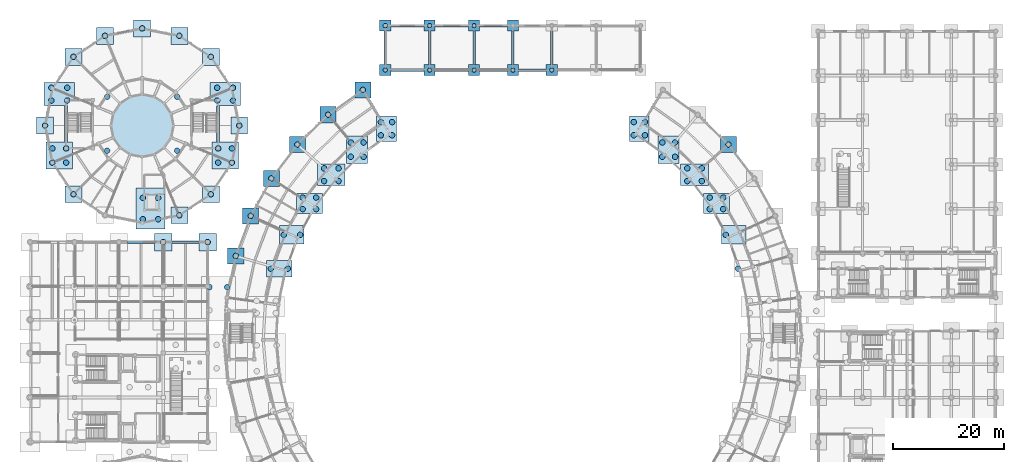
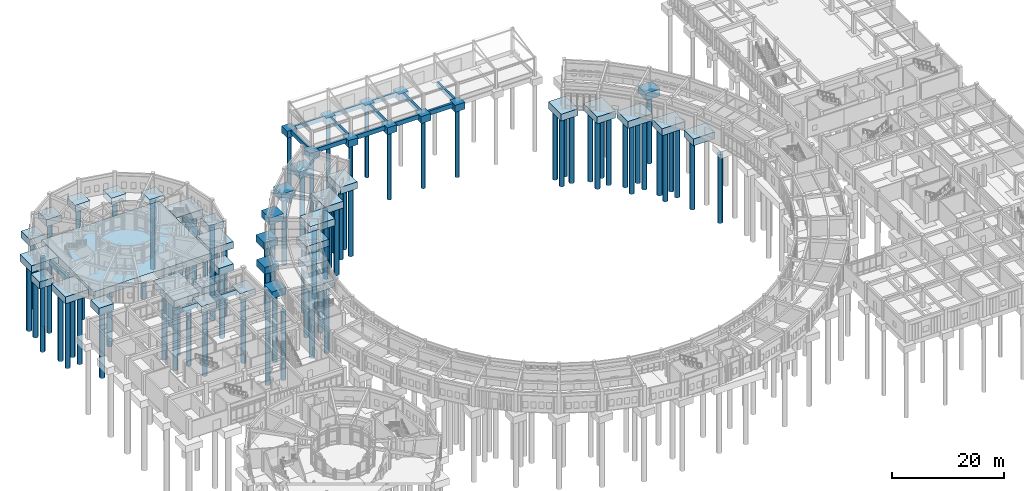
# One storey, part 3 of 153: 91 piles, 61 footings.
"""IFC4 building model written with IfcOpenShell, lengths in metres."""

from ifc_helpers import new_model, si_unit, direction, frame, origin, origin_2d, place, context, subcontext, project, spatial, polyline, rectangle, circle, outline, extrude, material, material_profile, profile_set, type_object, element, save


model = new_model("IFC4")

# Units and contexts
model_context = context("Model", 3, precision=1e-05, world=origin(), true_north=direction((0.0, 1.0)))
body_context = subcontext(model_context, "Body", "Model", "MODEL_VIEW")
ifc_project = project(units=[si_unit("LENGTHUNIT", "METRE"), si_unit("AREAUNIT", "SQUARE_METRE"), si_unit("VOLUMEUNIT", "CUBIC_METRE"), si_unit("PLANEANGLEUNIT", "RADIAN"), si_unit("MASSUNIT", "GRAM", prefix="KILO")], contexts=[model_context])

# Site, building, storey
site_placement = place(None, origin())
site = spatial("IfcSite", under=ifc_project, at=site_placement, CompositionType="ELEMENT")
building_placement = place(site_placement, origin())
building = spatial("IfcBuilding", under=site, at=building_placement, Name="Celadon Cloister-Ring School", CompositionType="ELEMENT")
storey_placement = place(building_placement, origin())
storey = spatial("IfcBuildingStorey", under=building, at=storey_placement, Name="L00", CompositionType="ELEMENT", Elevation=0.0)

# Footings
ifc_material_1 = material(Name="Concrete C40/50", Category="concrete")
footing_type_1 = type_object("IfcFootingType", Name="FC-05", PredefinedType="PILE_CAP", material=ifc_material_1)
for number, where, z_axis, x_axis, name in (
    (1, (59.968994140625, 103.422119140625, -1.5), (0.0, 0.0, 1.0), (1.0, 0.0, 0.0), "Pile Cap 071"),
    (2, (53.702880859375, 98.94091796875, -1.5), (0.0, 0.0, 1.0), (1.0, 0.0, 0.0), "Pile Cap 072"),
    (3, (48.16796875, 93.583984375, -1.5), (0.0, 0.0, 1.0), (1.0, 0.0, 0.0), "Pile Cap 073"),
    (4, (43.48388671875, 87.467041015625, -1.5), (0.0, 0.0, 1.0), (1.0, 0.0, 0.0), "Pile Cap 074"),
    (5, (39.756103515625, 80.72607421875, -1.5), (0.0, 0.0, 1.0), (1.0, 0.0, 0.0), "Pile Cap 075"),
    (6, (37.06494140625, 73.508056640625, -1.5), (0.0, 0.0, 1.0), (1.0, 0.0, 0.0), "Pile Cap 076"),
    (7, (125.83203125, 93.583984375, -1.5), (0.0, 0.0, 1.0), (1.0, 0.0, 0.0), "Pile Cap 097"),
):
    element("IfcFooting", number, at=place(storey_placement, frame(where, z_axis=z_axis, x_axis=x_axis)), inside=storey, type_object=footing_type_1, Name=name, PredefinedType="PILE_CAP", context=body_context, shape_type="SweptSolid", body=[
        extrude(rectangle(XDim=2.89990234375, YDim=2.89990234375, at=origin_2d()), origin(), (0.0, 0.0, 1.0), 1.5),
    ])
ifc_material_2 = material(Name="Concrete C40/50", Category="concrete")
footing_type_2 = type_object("IfcFootingType", Name="FC-13", PredefinedType="PILE_CAP", material=ifc_material_2)
for number, where, z_axis, x_axis, name in (
    (8, (5.26611328125, 91.60205078125, -1.5), (0.0, 0.0, 1.0), (1.0, 0.0, 0.0), "Pile Cap 019"),
    (9, (35.134033203125, 91.60205078125, -1.5), (0.0, 0.0, 1.0), (1.0, 0.0, 0.0), "Pile Cap 022"),
):
    element("IfcFooting", number, at=place(storey_placement, frame(where, z_axis=z_axis, x_axis=x_axis)), inside=storey, type_object=footing_type_2, Name=name, PredefinedType="PILE_CAP", context=body_context, shape_type="SweptSolid", body=[
        extrude(rectangle(XDim=4.76806640625, YDim=4.89697265625, at=origin_2d()), origin(), (0.0, 0.0, 1.0), 1.5),
    ])
ifc_material_3 = material(Name="Concrete C40/50", Category="concrete")
footing_type_3 = type_object("IfcFootingType", Name="FC-14", PredefinedType="PILE_CAP", material=ifc_material_3)
footing_1_placement = place(storey_placement, frame((20.199951171875, 97.322998046875, -1.5), z_axis=(0.0, 0.0, 1.0), x_axis=(1.0, 0.0, 0.0)))
element("IfcFooting", 10, at=footing_1_placement, inside=storey, type_object=footing_type_3, Name="Pile Cap 020", PredefinedType="PILE_CAP", context=body_context, shape_type="SweptSolid", body=[
    extrude(rectangle(XDim=24.2490234375, YDim=18.653076171875, at=origin_2d()), origin(), (0.0, 0.0, 1.0), 1.5),
])
ifc_material_4 = material(Name="Concrete C40/50", Category="concrete")
footing_type_4 = type_object("IfcFootingType", Name="FC-15", PredefinedType="PILE_CAP", material=ifc_material_4)
for number, where, z_axis, x_axis, name in (
    (11, (5.26611328125, 102.658935546875, -1.5), (0.0, 0.0, 1.0), (1.0, 0.0, 0.0), "Pile Cap 021"),
    (12, (35.134033203125, 102.658935546875, -1.5), (0.0, 0.0, 1.0), (1.0, 0.0, 0.0), "Pile Cap 023"),
):
    element("IfcFooting", number, at=place(storey_placement, frame(where, z_axis=z_axis, x_axis=x_axis)), inside=storey, type_object=footing_type_4, Name=name, PredefinedType="PILE_CAP", context=body_context, shape_type="SweptSolid", body=[
        extrude(rectangle(XDim=5.489990234375, YDim=4.177001953125, at=origin_2d()), origin(), (0.0, 0.0, 1.0), 1.5),
    ])
ifc_material_5 = material(Name="Concrete C40/50", Category="concrete")
footing_type_5 = type_object("IfcFootingType", Name="FC-26", PredefinedType="PILE_CAP", material=ifc_material_5)
footing_2_placement = place(storey_placement, frame((21.699951171875, 82.050048828125, -1.5), z_axis=(0.0, 0.0, 1.0), x_axis=(1.0, 0.0, 0.0)))
element("IfcFooting", 13, at=footing_2_placement, inside=storey, type_object=footing_type_5, Name="Pile Cap 041", PredefinedType="PILE_CAP", context=body_context, shape_type="SweptSolid", body=[
    extrude(rectangle(XDim=5.300048828125, YDim=7.39990234375, at=origin_2d()), origin(), (0.0, 0.0, 1.0), 1.5),
])
ifc_material_6 = material(Name="Concrete C40/50", Category="concrete")
footing_type_6 = type_object("IfcFootingType", Name="FC-28", PredefinedType="PILE_CAP", material=ifc_material_6)
for number, where, z_axis, x_axis, name in (
    (14, (64.218994140625, 96.43896484375, -1.5), (0.0, 0.0, 1.0), (1.0, 0.0, 0.0), "Pile Cap 043"),
    (15, (109.781005859375, 96.43896484375, -1.5), (0.0, 0.0, 1.0), (1.0, 0.0, 0.0), "Pile Cap 070"),
):
    element("IfcFooting", number, at=place(storey_placement, frame(where, z_axis=z_axis, x_axis=x_axis)), inside=storey, type_object=footing_type_6, Name=name, PredefinedType="PILE_CAP", context=body_context, shape_type="SweptSolid", body=[
        extrude(rectangle(XDim=3.52197265625, YDim=4.5791015625, at=origin_2d()), origin(), (0.0, 0.0, 1.0), 1.5),
    ])
ifc_material_7 = material(Name="Concrete C40/50", Category="concrete")
footing_type_7 = type_object("IfcFootingType", Name="FC-29", PredefinedType="PILE_CAP", material=ifc_material_7)
for number, where, z_axis, x_axis, name in (
    (16, (58.93798828125, 92.662109375, -1.5), (0.0, 0.0, 1.0), (1.0, 0.0, 0.0), "Pile Cap 044"),
    (17, (115.06201171875, 92.662109375, -1.5), (0.0, 0.0, 1.0), (1.0, 0.0, 0.0), "Pile Cap 069"),
):
    element("IfcFooting", number, at=place(storey_placement, frame(where, z_axis=z_axis, x_axis=x_axis)), inside=storey, type_object=footing_type_7, Name=name, PredefinedType="PILE_CAP", context=body_context, shape_type="SweptSolid", body=[
        extrude(rectangle(XDim=3.804931640625, YDim=4.947021484375, at=origin_2d()), origin(), (0.0, 0.0, 1.0), 1.5),
    ])
ifc_material_8 = material(Name="Concrete C40/50", Category="concrete")
footing_type_8 = type_object("IfcFootingType", Name="FC-30", PredefinedType="PILE_CAP", material=ifc_material_8)
for number, where, z_axis, x_axis, name in (
    (18, (54.27294921875, 88.14697265625, -1.5), (0.0, 0.0, 1.0), (1.0, 0.0, 0.0), "Pile Cap 045"),
    (19, (119.72705078125, 88.14697265625, -1.5), (0.0, 0.0, 1.0), (1.0, 0.0, 0.0), "Pile Cap 068"),
):
    element("IfcFooting", number, at=place(storey_placement, frame(where, z_axis=z_axis, x_axis=x_axis)), inside=storey, type_object=footing_type_8, Name=name, PredefinedType="PILE_CAP", context=body_context, shape_type="SweptSolid", body=[
        extrude(rectangle(XDim=5.02197265625, YDim=3.863037109375, at=origin_2d()), origin(), (0.0, 0.0, 1.0), 1.5),
    ])
ifc_material_9 = material(Name="Concrete C40/50", Category="concrete")
footing_type_9 = type_object("IfcFootingType", Name="FC-31", PredefinedType="PILE_CAP", material=ifc_material_9)
for number, where, z_axis, x_axis, name in (
    (20, (50.324951171875, 82.991943359375, -1.5), (0.0, 0.0, 1.0), (1.0, 0.0, 0.0), "Pile Cap 046"),
    (21, (123.674072265625, 82.991943359375, -1.5), (0.0, 0.0, 1.0), (1.0, 0.0, 0.0), "Pile Cap 067"),
):
    element("IfcFooting", number, at=place(storey_placement, frame(where, z_axis=z_axis, x_axis=x_axis)), inside=storey, type_object=footing_type_9, Name=name, PredefinedType="PILE_CAP", context=body_context, shape_type="SweptSolid", body=[
        extrude(rectangle(XDim=4.662109375, YDim=3.5859375, at=origin_2d()), origin(), (0.0, 0.0, 1.0), 1.5),
    ])
ifc_material_10 = material(Name="Concrete C40/50", Category="concrete")
footing_type_10 = type_object("IfcFootingType", Name="FC-32", PredefinedType="PILE_CAP", material=ifc_material_10)
for number, where, z_axis, x_axis, name in (
    (22, (47.18310546875, 77.31005859375, -1.5), (0.0, 0.0, 1.0), (1.0, 0.0, 0.0), "Pile Cap 047"),
    (23, (126.81591796875, 77.31005859375, -1.5), (0.0, 0.0, 1.0), (1.0, 0.0, 0.0), "Pile Cap 066"),
):
    element("IfcFooting", number, at=place(storey_placement, frame(where, z_axis=z_axis, x_axis=x_axis)), inside=storey, type_object=footing_type_10, Name=name, PredefinedType="PILE_CAP", context=body_context, shape_type="SweptSolid", body=[
        extrude(rectangle(XDim=4.43505859375, YDim=3.281982421875, at=origin_2d()), origin(), (0.0, 0.0, 1.0), 1.5),
    ])
ifc_material_11 = material(Name="Concrete C40/50", Category="concrete")
footing_type_11 = type_object("IfcFootingType", Name="FC-33", PredefinedType="PILE_CAP", material=ifc_material_11)
footing_3_placement = place(storey_placement, frame((44.9150390625, 71.22705078125, -1.5), z_axis=(0.0, 0.0, 1.0), x_axis=(1.0, 0.0, 0.0)))
element("IfcFooting", 24, at=footing_3_placement, inside=storey, type_object=footing_type_11, Name="Pile Cap 048", PredefinedType="PILE_CAP", context=body_context, shape_type="SweptSolid", body=[
    extrude(rectangle(XDim=4.555908203125, YDim=2.9560546875, at=origin_2d()), origin(), (0.0, 0.0, 1.0), 1.5),
])
ifc_material_12 = material(Name="Concrete C40/50", Category="concrete")
footing_type_12 = type_object("IfcFootingType", Name="FC-43", PredefinedType="PILE_CAP", material=ifc_material_12)
for number, where, z_axis, x_axis, name in (
    (25, (37.699951171875, 97.0, -1.5), (0.0, 0.0, 1.0), (1.0, 0.0, 0.0), "Pile Cap 125"),
    (26, (32.573974609375, 109.3740234375, -1.5), (0.0, 0.0, 1.0), (1.0, 0.0, 0.0), "Pile Cap 126"),
    (27, (26.89697265625, 113.16796875, -1.5), (0.0, 0.0, 1.0), (1.0, 0.0, 0.0), "Pile Cap 127"),
    (28, (20.199951171875, 114.5, -1.5), (0.0, 0.0, 1.0), (1.0, 0.0, 0.0), "Pile Cap 128"),
    (29, (13.5029296875, 113.16796875, -1.5), (0.0, 0.0, 1.0), (1.0, 0.0, 0.0), "Pile Cap 129"),
    (30, (7.825927734375, 109.3740234375, -1.5), (0.0, 0.0, 1.0), (1.0, 0.0, 0.0), "Pile Cap 130"),
    (31, (2.699951171875, 97.0, -1.5), (0.0, 0.0, 1.0), (1.0, 0.0, 0.0), "Pile Cap 131"),
    (32, (7.825927734375, 84.6259765625, -1.5), (0.0, 0.0, 1.0), (1.0, 0.0, 0.0), "Pile Cap 132"),
    (33, (26.89697265625, 80.83203125, -1.5), (0.0, 0.0, 1.0), (1.0, 0.0, 0.0), "Pile Cap 134"),
    (34, (32.573974609375, 84.6259765625, -1.5), (0.0, 0.0, 1.0), (1.0, 0.0, 0.0), "Pile Cap 135"),
):
    element("IfcFooting", number, at=place(storey_placement, frame(where, z_axis=z_axis, x_axis=x_axis)), inside=storey, type_object=footing_type_12, Name=name, PredefinedType="PILE_CAP", context=body_context, shape_type="SweptSolid", body=[
        extrude(rectangle(XDim=3.0400390625, YDim=3.0400390625, at=origin_2d()), origin(), (0.0, 0.0, 1.0), 1.5),
    ])
ifc_material_13 = material(Name="Concrete C40/50", Category="concrete")
footing_type_13 = type_object("IfcFootingType", Name="FC-47", PredefinedType="PILE_CAP", material=ifc_material_13)
for number, where, z_axis, x_axis, name in (
    (35, (24.0, 76.0, -1.5), (0.0, 0.0, 1.0), (1.0, 0.0, 0.0), "Pile Cap 191"),
    (36, (32.0, 76.0, -1.5), (0.0, 0.0, 1.0), (1.0, 0.0, 0.0), "Pile Cap 195"),
):
    element("IfcFooting", number, at=place(storey_placement, frame(where, z_axis=z_axis, x_axis=x_axis)), inside=storey, type_object=footing_type_13, Name=name, PredefinedType="PILE_CAP", context=body_context, shape_type="SweptSolid", body=[
        extrude(rectangle(XDim=3.1201171875, YDim=3.1201171875, at=origin_2d()), origin(), (0.0, 0.0, 1.0), 1.5),
    ])
ifc_material_14 = material(Name="Concrete C40/50", Category="concrete")
footing_type_14 = type_object("IfcFootingType", Name="FC-51", PredefinedType="PILE_CAP", material=ifc_material_14)
for number, where, z_axis, x_axis, name in (
    (37, (64.0, 107.0, -1.5), (0.0, 0.0, 1.0), (1.0, 0.0, 0.0), "Pile Cap 214"),
    (38, (64.0, 115.0, -1.5), (0.0, 0.0, 1.0), (1.0, 0.0, 0.0), "Pile Cap 215"),
    (39, (72.0, 107.0, -1.5), (0.0, 0.0, 1.0), (1.0, 0.0, 0.0), "Pile Cap 216"),
    (40, (72.0, 115.0, -1.5), (0.0, 0.0, 1.0), (1.0, 0.0, 0.0), "Pile Cap 217"),
    (41, (80.0, 107.0, -1.5), (0.0, 0.0, 1.0), (1.0, 0.0, 0.0), "Pile Cap 218"),
    (42, (80.0, 115.0, -1.5), (0.0, 0.0, 1.0), (1.0, 0.0, 0.0), "Pile Cap 219"),
    (43, (87.0, 107.0, -1.5), (0.0, 0.0, 1.0), (1.0, 0.0, 0.0), "Pile Cap 220"),
    (44, (87.0, 115.0, -1.5), (0.0, 0.0, 1.0), (1.0, 0.0, 0.0), "Pile Cap 221"),
    (45, (94.0, 107.0, -1.5), (0.0, 0.0, 1.0), (1.0, 0.0, 0.0), "Pile Cap 222"),
):
    element("IfcFooting", number, at=place(storey_placement, frame(where, z_axis=z_axis, x_axis=x_axis)), inside=storey, type_object=footing_type_14, Name=name, PredefinedType="PILE_CAP", context=body_context, shape_type="SweptSolid", body=[
        extrude(rectangle(XDim=2.0, YDim=2.0, at=origin_2d()), origin(), (0.0, 0.0, 1.0), 1.5),
    ])

# Piles
ifc_material_15 = material(Name="Concrete C35/45", Category="concrete")
ifc_material_profile_1 = material_profile(ifc_material_15, circle(Radius=0.39990234375, at=origin_2d()), Name="PILE800")
ifc_profile_set_1 = profile_set([ifc_material_profile_1], Name="Concrete C35/45")
pile_type_1 = type_object("IfcPileType", Name="PL-01", PredefinedType="BORED", material=ifc_profile_set_1)
for number, where, z_axis, x_axis, name in (
    (46, (64.0, 107.0, -1.39990234375), (0.0, 0.0, -1.0), (1.0, 0.0, 0.0), "Bored Pile 0350"),
    (47, (64.0, 115.0, -1.39990234375), (0.0, 0.0, -1.0), (1.0, 0.0, 0.0), "Bored Pile 0351"),
    (48, (72.0, 107.0, -1.39990234375), (0.0, 0.0, -1.0), (1.0, 0.0, 0.0), "Bored Pile 0352"),
    (49, (72.0, 115.0, -1.39990234375), (0.0, 0.0, -1.0), (1.0, 0.0, 0.0), "Bored Pile 0353"),
    (50, (80.0, 107.0, -1.39990234375), (0.0, 0.0, -1.0), (1.0, 0.0, 0.0), "Bored Pile 0354"),
    (51, (80.0, 115.0, -1.39990234375), (0.0, 0.0, -1.0), (1.0, 0.0, 0.0), "Bored Pile 0355"),
    (52, (87.0, 107.0, -1.39990234375), (0.0, 0.0, -1.0), (1.0, 0.0, 0.0), "Bored Pile 0356"),
    (53, (94.0, 107.0, -1.39990234375), (0.0, 0.0, -1.0), (1.0, 0.0, 0.0), "Bored Pile 0358"),
):
    element("IfcPile", number, at=place(storey_placement, frame(where, z_axis=z_axis, x_axis=x_axis)), inside=storey, type_object=pile_type_1, Name=name, PredefinedType="BORED", context=body_context, shape_type="SweptSolid", body=[
        extrude(circle(Radius=0.39990234375, at=origin_2d()), origin(), (0.0, 0.0, 1.0), 15.0),
    ])
ifc_material_16 = material(Name="Concrete C35/45", Category="concrete")
ifc_material_profile_2 = material_profile(ifc_material_16, circle(Radius=0.5, at=origin_2d()), Name="PILE1000")
ifc_profile_set_2 = profile_set([ifc_material_profile_2], Name="Concrete C35/45")
pile_type_2 = type_object("IfcPileType", Name="PL-02", PredefinedType="BORED", material=ifc_profile_set_2)
for number, where, z_axis, x_axis, name in (
    (54, (35.52392578125, 67.888916015625, -1.39990234375), (0.0, 0.0, -1.0), (1.0, 0.0, 0.0), "Bored Pile 0038"),
    (55, (32.325927734375, 67.888916015625, -1.39990234375), (0.0, 0.0, -1.0), (1.0, 0.0, 0.0), "Bored Pile 0039"),
    (56, (4.02587890625, 90.3291015625, -1.39990234375), (0.0, 0.0, -1.0), (1.0, 0.0, 0.0), "Bored Pile 0052"),
    (57, (6.506103515625, 90.3291015625, -1.39990234375), (0.0, 0.0, -1.0), (1.0, 0.0, 0.0), "Bored Pile 0053"),
    (58, (6.506103515625, 92.875, -1.39990234375), (0.0, 0.0, -1.0), (1.0, 0.0, 0.0), "Bored Pile 0054"),
    (59, (4.02587890625, 92.875, -1.39990234375), (0.0, 0.0, -1.0), (1.0, 0.0, 0.0), "Bored Pile 0055"),
    (60, (13.89501953125, 92.472900390625, -1.39990234375), (0.0, 0.0, -1.0), (1.0, 0.0, 0.0), "Bored Pile 0056"),
    (61, (26.5048828125, 92.472900390625, -1.39990234375), (0.0, 0.0, -1.0), (1.0, 0.0, 0.0), "Bored Pile 0057"),
    (62, (26.5048828125, 102.173095703125, -1.39990234375), (0.0, 0.0, -1.0), (1.0, 0.0, 0.0), "Bored Pile 0058"),
    (63, (13.89501953125, 102.173095703125, -1.39990234375), (0.0, 0.0, -1.0), (1.0, 0.0, 0.0), "Bored Pile 0059"),
    (64, (3.839111328125, 101.509033203125, -1.39990234375), (0.0, 0.0, -1.0), (1.0, 0.0, 0.0), "Bored Pile 0060"),
    (65, (6.693115234375, 101.509033203125, -1.39990234375), (0.0, 0.0, -1.0), (1.0, 0.0, 0.0), "Bored Pile 0061"),
    (66, (6.693115234375, 103.80908203125, -1.39990234375), (0.0, 0.0, -1.0), (1.0, 0.0, 0.0), "Bored Pile 0062"),
    (67, (3.839111328125, 103.80908203125, -1.39990234375), (0.0, 0.0, -1.0), (1.0, 0.0, 0.0), "Bored Pile 0063"),
    (68, (33.89404296875, 90.3291015625, -1.39990234375), (0.0, 0.0, -1.0), (1.0, 0.0, 0.0), "Bored Pile 0064"),
    (69, (36.3740234375, 90.3291015625, -1.39990234375), (0.0, 0.0, -1.0), (1.0, 0.0, 0.0), "Bored Pile 0065"),
    (70, (36.3740234375, 92.875, -1.39990234375), (0.0, 0.0, -1.0), (1.0, 0.0, 0.0), "Bored Pile 0066"),
    (71, (33.89404296875, 92.875, -1.39990234375), (0.0, 0.0, -1.0), (1.0, 0.0, 0.0), "Bored Pile 0067"),
    (72, (33.70703125, 101.509033203125, -1.39990234375), (0.0, 0.0, -1.0), (1.0, 0.0, 0.0), "Bored Pile 0068"),
    (73, (36.56103515625, 101.509033203125, -1.39990234375), (0.0, 0.0, -1.0), (1.0, 0.0, 0.0), "Bored Pile 0069"),
    (74, (36.56103515625, 103.80908203125, -1.39990234375), (0.0, 0.0, -1.0), (1.0, 0.0, 0.0), "Bored Pile 0070"),
    (75, (33.70703125, 103.80908203125, -1.39990234375), (0.0, 0.0, -1.0), (1.0, 0.0, 0.0), "Bored Pile 0071"),
    (76, (20.322021484375, 80.1259765625, -1.39990234375), (0.0, 0.0, -1.0), (1.0, 0.0, 0.0), "Bored Pile 0120"),
    (77, (23.077880859375, 80.1259765625, -1.39990234375), (0.0, 0.0, -1.0), (1.0, 0.0, 0.0), "Bored Pile 0121"),
    (78, (23.077880859375, 83.97412109375, -1.39990234375), (0.0, 0.0, -1.0), (1.0, 0.0, 0.0), "Bored Pile 0122"),
    (79, (20.322021484375, 83.97412109375, -1.39990234375), (0.0, 0.0, -1.0), (1.0, 0.0, 0.0), "Bored Pile 0123"),
    (80, (63.2080078125, 95.248046875, -1.39990234375), (0.0, 0.0, -1.0), (1.0, 0.0, 0.0), "Bored Pile 0128"),
    (81, (65.22998046875, 95.248046875, -1.39990234375), (0.0, 0.0, -1.0), (1.0, 0.0, 0.0), "Bored Pile 0129"),
    (82, (65.22998046875, 97.6298828125, -1.39990234375), (0.0, 0.0, -1.0), (1.0, 0.0, 0.0), "Bored Pile 0130"),
    (83, (63.2080078125, 97.6298828125, -1.39990234375), (0.0, 0.0, -1.0), (1.0, 0.0, 0.0), "Bored Pile 0131"),
    (84, (57.7880859375, 91.3759765625, -1.39990234375), (0.0, 0.0, -1.0), (1.0, 0.0, 0.0), "Bored Pile 0132"),
    (85, (60.087890625, 91.3759765625, -1.39990234375), (0.0, 0.0, -1.0), (1.0, 0.0, 0.0), "Bored Pile 0133"),
    (86, (60.087890625, 93.947998046875, -1.39990234375), (0.0, 0.0, -1.0), (1.0, 0.0, 0.0), "Bored Pile 0134"),
    (87, (57.7880859375, 93.947998046875, -1.39990234375), (0.0, 0.0, -1.0), (1.0, 0.0, 0.0), "Bored Pile 0135"),
    (88, (52.967041015625, 86.9970703125, -1.39990234375), (0.0, 0.0, -1.0), (1.0, 0.0, 0.0), "Bored Pile 0136"),
    (89, (55.5791015625, 86.9970703125, -1.39990234375), (0.0, 0.0, -1.0), (1.0, 0.0, 0.0), "Bored Pile 0137"),
    (90, (55.5791015625, 89.297119140625, -1.39990234375), (0.0, 0.0, -1.0), (1.0, 0.0, 0.0), "Bored Pile 0138"),
    (91, (52.967041015625, 89.297119140625, -1.39990234375), (0.0, 0.0, -1.0), (1.0, 0.0, 0.0), "Bored Pile 0139"),
    (92, (49.113037109375, 81.948974609375, -1.39990234375), (0.0, 0.0, -1.0), (1.0, 0.0, 0.0), "Bored Pile 0140"),
    (93, (51.537109375, 81.948974609375, -1.39990234375), (0.0, 0.0, -1.0), (1.0, 0.0, 0.0), "Bored Pile 0141"),
    (94, (51.537109375, 84.034912109375, -1.39990234375), (0.0, 0.0, -1.0), (1.0, 0.0, 0.0), "Bored Pile 0142"),
    (95, (49.113037109375, 84.034912109375, -1.39990234375), (0.0, 0.0, -1.0), (1.0, 0.0, 0.0), "Bored Pile 0143"),
    (96, (45.716064453125, 77.31005859375, -1.39990234375), (0.0, 0.0, -1.0), (1.0, 0.0, 0.0), "Bored Pile 0144"),
    (97, (48.64990234375, 77.31005859375, -1.39990234375), (0.0, 0.0, -1.0), (1.0, 0.0, 0.0), "Bored Pile 0145"),
    (98, (43.386962890625, 71.22705078125, -1.39990234375), (0.0, 0.0, -1.0), (1.0, 0.0, 0.0), "Bored Pile 0146"),
    (99, (46.443115234375, 71.22705078125, -1.39990234375), (0.0, 0.0, -1.0), (1.0, 0.0, 0.0), "Bored Pile 0147"),
    (100, (127.556884765625, 71.22705078125, -1.39990234375), (0.0, 0.0, -1.0), (1.0, 0.0, 0.0), "Bored Pile 0190"),
    (101, (125.34912109375, 77.31005859375, -1.39990234375), (0.0, 0.0, -1.0), (1.0, 0.0, 0.0), "Bored Pile 0192"),
    (102, (122.4619140625, 81.948974609375, -1.39990234375), (0.0, 0.0, -1.0), (1.0, 0.0, 0.0), "Bored Pile 0194"),
    (103, (124.885986328125, 81.948974609375, -1.39990234375), (0.0, 0.0, -1.0), (1.0, 0.0, 0.0), "Bored Pile 0195"),
    (104, (124.885986328125, 84.034912109375, -1.39990234375), (0.0, 0.0, -1.0), (1.0, 0.0, 0.0), "Bored Pile 0196"),
    (105, (122.4619140625, 84.034912109375, -1.39990234375), (0.0, 0.0, -1.0), (1.0, 0.0, 0.0), "Bored Pile 0197"),
    (106, (118.4208984375, 86.9970703125, -1.39990234375), (0.0, 0.0, -1.0), (1.0, 0.0, 0.0), "Bored Pile 0198"),
    (107, (121.032958984375, 86.9970703125, -1.39990234375), (0.0, 0.0, -1.0), (1.0, 0.0, 0.0), "Bored Pile 0199"),
    (108, (121.032958984375, 89.297119140625, -1.39990234375), (0.0, 0.0, -1.0), (1.0, 0.0, 0.0), "Bored Pile 0200"),
    (109, (118.4208984375, 89.297119140625, -1.39990234375), (0.0, 0.0, -1.0), (1.0, 0.0, 0.0), "Bored Pile 0201"),
    (110, (113.912109375, 91.3759765625, -1.39990234375), (0.0, 0.0, -1.0), (1.0, 0.0, 0.0), "Bored Pile 0202"),
    (111, (116.2119140625, 91.3759765625, -1.39990234375), (0.0, 0.0, -1.0), (1.0, 0.0, 0.0), "Bored Pile 0203"),
    (112, (116.2119140625, 93.947998046875, -1.39990234375), (0.0, 0.0, -1.0), (1.0, 0.0, 0.0), "Bored Pile 0204"),
    (113, (113.912109375, 93.947998046875, -1.39990234375), (0.0, 0.0, -1.0), (1.0, 0.0, 0.0), "Bored Pile 0205"),
    (114, (108.77001953125, 95.248046875, -1.39990234375), (0.0, 0.0, -1.0), (1.0, 0.0, 0.0), "Bored Pile 0206"),
    (115, (110.7919921875, 95.248046875, -1.39990234375), (0.0, 0.0, -1.0), (1.0, 0.0, 0.0), "Bored Pile 0207"),
    (116, (110.7919921875, 97.6298828125, -1.39990234375), (0.0, 0.0, -1.0), (1.0, 0.0, 0.0), "Bored Pile 0208"),
    (117, (108.77001953125, 97.6298828125, -1.39990234375), (0.0, 0.0, -1.0), (1.0, 0.0, 0.0), "Bored Pile 0209"),
    (118, (59.968994140625, 103.422119140625, -1.39990234375), (0.0, 0.0, -1.0), (1.0, 0.0, 0.0), "Bored Pile 0210"),
    (119, (53.702880859375, 98.94091796875, -1.39990234375), (0.0, 0.0, -1.0), (1.0, 0.0, 0.0), "Bored Pile 0211"),
    (120, (48.16796875, 93.583984375, -1.39990234375), (0.0, 0.0, -1.0), (1.0, 0.0, 0.0), "Bored Pile 0212"),
    (121, (43.48388671875, 87.467041015625, -1.39990234375), (0.0, 0.0, -1.0), (1.0, 0.0, 0.0), "Bored Pile 0213"),
    (122, (39.756103515625, 80.72607421875, -1.39990234375), (0.0, 0.0, -1.0), (1.0, 0.0, 0.0), "Bored Pile 0214"),
    (123, (37.06494140625, 73.508056640625, -1.39990234375), (0.0, 0.0, -1.0), (1.0, 0.0, 0.0), "Bored Pile 0215"),
    (124, (125.83203125, 93.583984375, -1.39990234375), (0.0, 0.0, -1.0), (1.0, 0.0, 0.0), "Bored Pile 0235"),
    (125, (37.699951171875, 97.0, -1.39990234375), (0.0, 0.0, -1.0), (1.0, 0.0, 0.0), "Bored Pile 0263"),
    (126, (32.573974609375, 109.3740234375, -1.39990234375), (0.0, 0.0, -1.0), (1.0, 0.0, 0.0), "Bored Pile 0264"),
    (127, (26.89697265625, 113.16796875, -1.39990234375), (0.0, 0.0, -1.0), (1.0, 0.0, 0.0), "Bored Pile 0265"),
    (128, (20.199951171875, 114.5, -1.39990234375), (0.0, 0.0, -1.0), (1.0, 0.0, 0.0), "Bored Pile 0266"),
    (129, (13.5029296875, 113.16796875, -1.39990234375), (0.0, 0.0, -1.0), (1.0, 0.0, 0.0), "Bored Pile 0267"),
    (130, (7.825927734375, 109.3740234375, -1.39990234375), (0.0, 0.0, -1.0), (1.0, 0.0, 0.0), "Bored Pile 0268"),
    (131, (2.699951171875, 97.0, -1.39990234375), (0.0, 0.0, -1.0), (1.0, 0.0, 0.0), "Bored Pile 0269"),
    (132, (7.825927734375, 84.6259765625, -1.39990234375), (0.0, 0.0, -1.0), (1.0, 0.0, 0.0), "Bored Pile 0270"),
    (133, (26.89697265625, 80.83203125, -1.39990234375), (0.0, 0.0, -1.0), (1.0, 0.0, 0.0), "Bored Pile 0272"),
    (134, (32.573974609375, 84.6259765625, -1.39990234375), (0.0, 0.0, -1.0), (1.0, 0.0, 0.0), "Bored Pile 0273"),
    (135, (24.0, 76.0, -1.39990234375), (0.0, 0.0, -1.0), (1.0, 0.0, 0.0), "Bored Pile 0328"),
    (136, (32.0, 76.0, -1.39990234375), (0.0, 0.0, -1.0), (1.0, 0.0, 0.0), "Bored Pile 0331"),
):
    element("IfcPile", number, at=place(storey_placement, frame(where, z_axis=z_axis, x_axis=x_axis)), inside=storey, type_object=pile_type_2, Name=name, PredefinedType="BORED", context=body_context, shape_type="SweptSolid", body=[
        extrude(circle(Radius=0.5, at=origin_2d()), origin(), (0.0, 0.0, 1.0), 15.0),
    ])

# Footings
ifc_material_17 = material(Name="Concrete C40/50", Category="concrete")
footing_type_15 = type_object("IfcFootingType", Name="SF-01", PredefinedType="STRIP_FOOTING", material=ifc_material_17)
footing_4_placement = place(storey_placement, frame((0.0, 0.0, -0.949951171875)))
element("IfcFooting", 137, at=footing_4_placement, inside=storey, type_object=footing_type_15, Name="Seismic Tie Strip 0114", PredefinedType="STRIP_FOOTING", context=body_context, shape_type="SweptSolid", body=[
    extrude(outline(polyline([(17.56494140625, 75.77490234375), (22.43505859375, 75.77490234375), (22.43505859375, 76.22509765625), (17.56494140625, 76.22509765625), (17.56494140625, 75.77490234375)])), origin(), (0.0, 0.0, 1.0), 0.949951171875),
])
footing_5_placement = place(storey_placement, frame((0.0, 0.0, -0.949951171875)))
element("IfcFooting", 138, at=footing_5_placement, inside=storey, type_object=footing_type_15, Name="Seismic Tie Strip 0121", PredefinedType="STRIP_FOOTING", context=body_context, shape_type="SweptSolid", body=[
    extrude(outline(polyline([(25.56494140625, 75.77490234375), (30.43505859375, 75.77490234375), (30.43505859375, 76.22509765625), (25.56494140625, 76.22509765625), (25.56494140625, 75.77490234375)])), origin(), (0.0, 0.0, 1.0), 0.949951171875),
])
footing_6_placement = place(storey_placement, frame((0.0, 0.0, -0.949951171875)))
element("IfcFooting", 139, at=footing_6_placement, inside=storey, type_object=footing_type_15, Name="Seismic Tie Strip 0131", PredefinedType="STRIP_FOOTING", context=body_context, shape_type="SweptSolid", body=[
    extrude(outline(polyline([(64.22509765625, 108.0048828125), (64.22509765625, 113.9951171875), (63.77490234375, 113.9951171875), (63.77490234375, 108.0048828125), (64.22509765625, 108.0048828125)])), origin(), (0.0, 0.0, 1.0), 0.949951171875),
])
footing_7_placement = place(storey_placement, frame((0.0, 0.0, -0.949951171875)))
element("IfcFooting", 140, at=footing_7_placement, inside=storey, type_object=footing_type_15, Name="Seismic Tie Strip 0132", PredefinedType="STRIP_FOOTING", context=body_context, shape_type="SweptSolid", body=[
    extrude(outline(polyline([(65.0048828125, 106.77490234375), (70.9951171875, 106.77490234375), (70.9951171875, 107.22509765625), (65.0048828125, 107.22509765625), (65.0048828125, 106.77490234375)])), origin(), (0.0, 0.0, 1.0), 0.949951171875),
])
footing_8_placement = place(storey_placement, frame((0.0, 0.0, -0.949951171875)))
element("IfcFooting", 141, at=footing_8_placement, inside=storey, type_object=footing_type_15, Name="Seismic Tie Strip 0133", PredefinedType="STRIP_FOOTING", context=body_context, shape_type="SweptSolid", body=[
    extrude(outline(polyline([(65.0048828125, 114.77490234375), (70.9951171875, 114.77490234375), (70.9951171875, 115.22509765625), (65.0048828125, 115.22509765625), (65.0048828125, 114.77490234375)])), origin(), (0.0, 0.0, 1.0), 0.949951171875),
])
footing_9_placement = place(storey_placement, frame((0.0, 0.0, -0.949951171875)))
element("IfcFooting", 142, at=footing_9_placement, inside=storey, type_object=footing_type_15, Name="Seismic Tie Strip 0134", PredefinedType="STRIP_FOOTING", context=body_context, shape_type="SweptSolid", body=[
    extrude(outline(polyline([(72.22509765625, 108.0048828125), (72.22509765625, 113.9951171875), (71.77490234375, 113.9951171875), (71.77490234375, 108.0048828125), (72.22509765625, 108.0048828125)])), origin(), (0.0, 0.0, 1.0), 0.949951171875),
])
footing_10_placement = place(storey_placement, frame((0.0, 0.0, -0.949951171875)))
element("IfcFooting", 143, at=footing_10_placement, inside=storey, type_object=footing_type_15, Name="Seismic Tie Strip 0135", PredefinedType="STRIP_FOOTING", context=body_context, shape_type="SweptSolid", body=[
    extrude(outline(polyline([(73.0048828125, 106.77490234375), (78.9951171875, 106.77490234375), (78.9951171875, 107.22509765625), (73.0048828125, 107.22509765625), (73.0048828125, 106.77490234375)])), origin(), (0.0, 0.0, 1.0), 0.949951171875),
])
footing_11_placement = place(storey_placement, frame((0.0, 0.0, -0.949951171875)))
element("IfcFooting", 144, at=footing_11_placement, inside=storey, type_object=footing_type_15, Name="Seismic Tie Strip 0136", PredefinedType="STRIP_FOOTING", context=body_context, shape_type="SweptSolid", body=[
    extrude(outline(polyline([(73.0048828125, 114.77490234375), (78.9951171875, 114.77490234375), (78.9951171875, 115.22509765625), (73.0048828125, 115.22509765625), (73.0048828125, 114.77490234375)])), origin(), (0.0, 0.0, 1.0), 0.949951171875),
])
footing_12_placement = place(storey_placement, frame((0.0, 0.0, -0.949951171875)))
element("IfcFooting", 145, at=footing_12_placement, inside=storey, type_object=footing_type_15, Name="Seismic Tie Strip 0137", PredefinedType="STRIP_FOOTING", context=body_context, shape_type="SweptSolid", body=[
    extrude(outline(polyline([(80.22509765625, 108.0048828125), (80.22509765625, 113.9951171875), (79.77490234375, 113.9951171875), (79.77490234375, 108.0048828125), (80.22509765625, 108.0048828125)])), origin(), (0.0, 0.0, 1.0), 0.949951171875),
])
footing_13_placement = place(storey_placement, frame((0.0, 0.0, -0.949951171875)))
element("IfcFooting", 146, at=footing_13_placement, inside=storey, type_object=footing_type_15, Name="Seismic Tie Strip 0138", PredefinedType="STRIP_FOOTING", context=body_context, shape_type="SweptSolid", body=[
    extrude(outline(polyline([(81.0048828125, 106.77490234375), (85.9951171875, 106.77490234375), (85.9951171875, 107.22509765625), (81.0048828125, 107.22509765625), (81.0048828125, 106.77490234375)])), origin(), (0.0, 0.0, 1.0), 0.949951171875),
])
footing_14_placement = place(storey_placement, frame((0.0, 0.0, -0.949951171875)))
element("IfcFooting", 147, at=footing_14_placement, inside=storey, type_object=footing_type_15, Name="Seismic Tie Strip 0139", PredefinedType="STRIP_FOOTING", context=body_context, shape_type="SweptSolid", body=[
    extrude(outline(polyline([(81.0048828125, 114.77490234375), (85.9951171875, 114.77490234375), (85.9951171875, 115.22509765625), (81.0048828125, 115.22509765625), (81.0048828125, 114.77490234375)])), origin(), (0.0, 0.0, 1.0), 0.949951171875),
])
footing_15_placement = place(storey_placement, frame((0.0, 0.0, -0.949951171875)))
element("IfcFooting", 148, at=footing_15_placement, inside=storey, type_object=footing_type_15, Name="Seismic Tie Strip 0140", PredefinedType="STRIP_FOOTING", context=body_context, shape_type="SweptSolid", body=[
    extrude(outline(polyline([(87.22509765625, 108.0048828125), (87.22509765625, 113.9951171875), (86.77490234375, 113.9951171875), (86.77490234375, 108.0048828125), (87.22509765625, 108.0048828125)])), origin(), (0.0, 0.0, 1.0), 0.949951171875),
])
footing_16_placement = place(storey_placement, frame((0.0, 0.0, -0.949951171875)))
element("IfcFooting", 149, at=footing_16_placement, inside=storey, type_object=footing_type_15, Name="Seismic Tie Strip 0141", PredefinedType="STRIP_FOOTING", context=body_context, shape_type="SweptSolid", body=[
    extrude(outline(polyline([(88.0048828125, 106.77490234375), (92.9951171875, 106.77490234375), (92.9951171875, 107.22509765625), (88.0048828125, 107.22509765625), (88.0048828125, 106.77490234375)])), origin(), (0.0, 0.0, 1.0), 0.949951171875),
])
footing_17_placement = place(storey_placement, frame((0.0, 0.0, -0.949951171875)))
element("IfcFooting", 150, at=footing_17_placement, inside=storey, type_object=footing_type_15, Name="Seismic Tie Strip 0143", PredefinedType="STRIP_FOOTING", context=body_context, shape_type="SweptSolid", body=[
    extrude(outline(polyline([(94.22509765625, 108.0048828125), (94.22509765625, 113.9951171875), (93.77490234375, 113.9951171875), (93.77490234375, 108.0048828125), (94.22509765625, 108.0048828125)])), origin(), (0.0, 0.0, 1.0), 0.949951171875),
])
ifc_material_18 = material(Name="Concrete C40/50", Category="concrete")
footing_type_16 = type_object("IfcFootingType", Name="SF-02", PredefinedType="STRIP_FOOTING", material=ifc_material_18)
footing_18_placement = place(storey_placement, frame((0.0, 0.0, -1.199951171875)))
element("IfcFooting", 151, at=footing_18_placement, inside=storey, type_object=footing_type_16, Name="Seismic Tie Strip 0154", PredefinedType="STRIP_FOOTING", context=body_context, shape_type="SweptSolid", body=[
    extrude(outline(polyline([(6.22509765625, 100.56591796875), (6.22509765625, 94.054931640625), (6.77490234375, 94.054931640625), (6.77490234375, 100.56591796875), (6.22509765625, 100.56591796875)])), origin(), (0.0, 0.0, 1.0), 1.199951171875),
])
footing_19_placement = place(storey_placement, frame((0.0, 0.0, -1.199951171875)))
element("IfcFooting", 152, at=footing_19_placement, inside=storey, type_object=footing_type_16, Name="Seismic Tie Strip 0155", PredefinedType="STRIP_FOOTING", context=body_context, shape_type="SweptSolid", body=[
    extrude(outline(polyline([(34.175048828125, 94.054931640625), (34.175048828125, 100.56591796875), (33.625, 100.56591796875), (33.625, 94.054931640625), (34.175048828125, 94.054931640625)])), origin(), (0.0, 0.0, 1.0), 1.199951171875),
])

save(model, "model.ifc")
